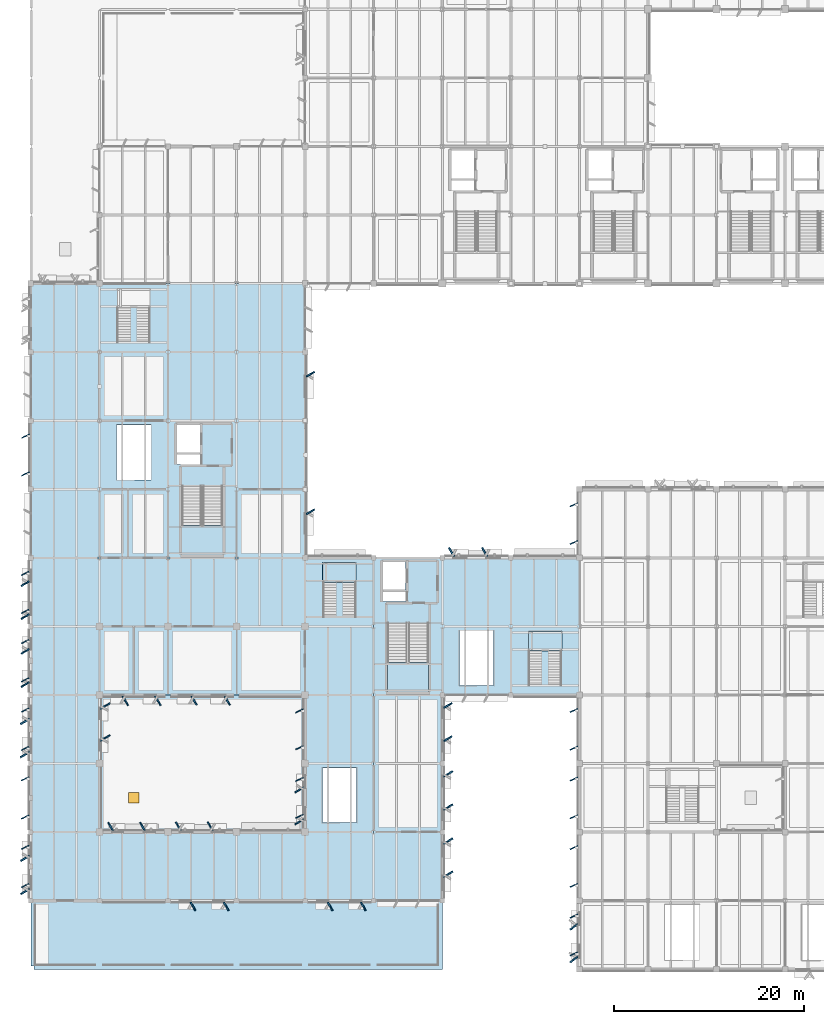
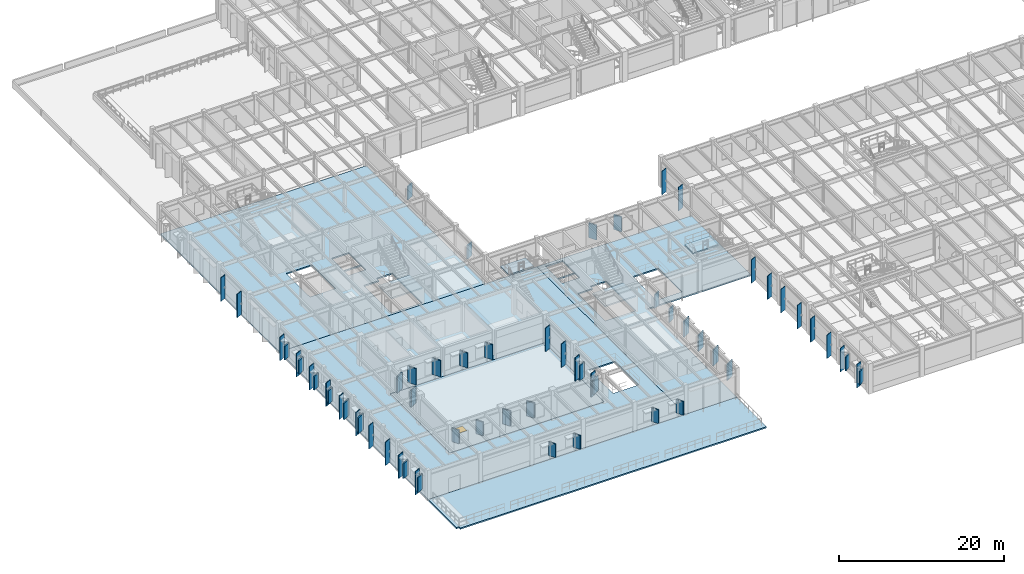
# One storey, part 25 of 92: 62 plates, 9 slabs, 1 door, 1 opening, 4 elements without a shape of their own.
"""IFC4 building model written with IfcOpenShell, lengths in metres."""

import ifcopenshell
import ifcopenshell.guid

model = None  # the IFC model being written
_history = None  # IfcOwnerHistory: only IFC2X3 demands one
_inside = {}  # id of a spatial element -> (the spatial element, [elements in it])
_under = {}  # id of a project, library or spatial element -> (it, [spatial elements below it])
_declared = {}  # id of a project -> (the project, [libraries it declares])
_typed = {}  # id of a type object -> (the type object, [elements of that type])
_made_of = {}  # id of a material, layer set ... -> (it, [elements and type objects made of it])


def new_model(schema):
    """Start an empty IFC model of exactly this schema.

    Asked for "IFC4X3", IfcOpenShell would pick the latest addendum, in which some entities
    have other attributes; the version numbers below select the first issue.
    IFC2X3 requires an IfcOwnerHistory on every rooted entity: one is made here for all.
    """
    global model, _history
    if schema == "IFC4X3":
        model = ifcopenshell.file(schema_version=(4, 3, 0, 0))
    else:
        model = ifcopenshell.file(schema=schema)
    _inside.clear()
    _under.clear()
    _declared.clear()
    _typed.clear()
    _made_of.clear()
    _history = None
    if model.schema == "IFC2X3":
        org = make("IfcOrganization", Name="unknown")
        user = make(
            "IfcPersonAndOrganization",
            ThePerson=make("IfcPerson", FamilyName="unknown"),
            TheOrganization=org,
        )
        app = make(
            "IfcApplication",
            ApplicationDeveloper=org,
            Version="unknown",
            ApplicationFullName="unknown",
            ApplicationIdentifier="unknown",
        )
        _history = make(
            "IfcOwnerHistory",
            OwningUser=user,
            OwningApplication=app,
            ChangeAction="ADDED",
            CreationDate=0,
        )
    return model


def make(cls, **values):
    """One entity of the class cls with the attributes given. An attribute that is None is left unset."""
    return model.create_entity(
        cls, **{name: value for name, value in values.items() if value is not None}
    )


def rooted(cls, **values):
    """An entity with a GlobalId (a new one), such as an element, a storey or a relation."""
    return make(cls, GlobalId=ifcopenshell.guid.new(), OwnerHistory=_history, **values)


def si_unit(unit_type, name, prefix=None):
    """IfcSIUnit, for example si_unit("LENGTHUNIT", "METRE", prefix="MILLI")."""
    return make("IfcSIUnit", UnitType=unit_type, Prefix=prefix, Name=name)


def assignment(units):
    """IfcUnitAssignment: the units of a project."""
    return None if units is None else make("IfcUnitAssignment", Units=units)


def point(xyz):
    """IfcCartesianPoint."""
    return None if xyz is None else make("IfcCartesianPoint", Coordinates=xyz)


def direction(xyz):
    """IfcDirection."""
    return None if xyz is None else make("IfcDirection", DirectionRatios=xyz)


def frame(location, z_axis=None, x_axis=None):
    """IfcAxis2Placement3D, a coordinate frame: its origin and axes. An axis left out is left unset."""
    return make(
        "IfcAxis2Placement3D",
        Location=point(location),
        Axis=direction(z_axis),
        RefDirection=direction(x_axis),
    )


def frame_2d(location, x_axis=None):
    """IfcAxis2Placement2D, a coordinate frame in the plane: its origin and x axis."""
    return make(
        "IfcAxis2Placement2D", Location=point(location), RefDirection=direction(x_axis)
    )


def origin():
    """The frame at (0, 0, 0) with its axes left unset."""
    return frame((0.0, 0.0, 0.0))


def origin_2d():
    """The frame at (0, 0) in the plane with its x axis left unset."""
    return frame_2d((0.0, 0.0))


def place(relative_to, where):
    """IfcLocalPlacement: puts the frame where relative to a parent placement (None: the world)."""
    return make(
        "IfcLocalPlacement", PlacementRelTo=relative_to, RelativePlacement=where
    )


def context(
    kind, dimensions, precision=None, world=None, true_north=None, identifier=None
):
    """IfcGeometricRepresentationContext, for example the 3D "Model" context."""
    return make(
        "IfcGeometricRepresentationContext",
        ContextIdentifier=identifier,
        ContextType=kind,
        CoordinateSpaceDimension=dimensions,
        Precision=precision,
        WorldCoordinateSystem=world,
        TrueNorth=true_north,
    )


def subcontext(parent, identifier, kind, view, scale=None):
    """IfcGeometricRepresentationSubContext, for example "Body" below "Model"."""
    return make(
        "IfcGeometricRepresentationSubContext",
        ContextIdentifier=identifier,
        ContextType=kind,
        ParentContext=parent,
        TargetScale=scale,
        TargetView=view,
    )


def project(units=None, contexts=None):
    """IfcProject with its units and contexts."""
    return rooted(
        "IfcProject",
        Name="project",
        RepresentationContexts=contexts,
        UnitsInContext=assignment(units),
    )


def spatial(cls, under=None, at=None, **own):
    """A site, building, storey or space (cls), placed at a placement, below another one or the project."""
    s = rooted(cls, ObjectPlacement=at, **own)
    if under is not None:
        _under.setdefault(under.id(), (under, []))[1].append(s)
    return s


def polyline(points):
    """IfcPolyline through the points."""
    return make("IfcPolyline", Points=[point(p) for p in points])


def profile(cls, at=None, kind="AREA", **sizes):
    """A parametric profile (cls). Its sizes go by their IFC names, for example OverallWidth=200.0."""
    return make(cls, ProfileType=kind, Position=at, **sizes)


def rectangle(**sizes):
    """IfcRectangleProfileDef."""
    return profile("IfcRectangleProfileDef", **sizes)


def outline(outer, holes=None, kind="AREA"):
    """IfcArbitraryClosedProfileDef: a profile drawn as a closed curve; with holes, ...WithVoids."""
    if holes is None:
        return make("IfcArbitraryClosedProfileDef", ProfileType=kind, OuterCurve=outer)
    return make(
        "IfcArbitraryProfileDefWithVoids",
        ProfileType=kind,
        OuterCurve=outer,
        InnerCurves=holes,
    )


def extrude(swept, where, along, depth):
    """IfcExtrudedAreaSolid: the profile swept, set in the frame where, extruded along a direction by depth."""
    return make(
        "IfcExtrudedAreaSolid",
        SweptArea=swept,
        Position=where,
        ExtrudedDirection=direction(along),
        Depth=depth,
    )


def shape(context_of_items, identifier, shape_type, items):
    """IfcShapeRepresentation: the items that make up one representation, for example the "Body"."""
    return make(
        "IfcShapeRepresentation",
        ContextOfItems=context_of_items,
        RepresentationIdentifier=identifier,
        RepresentationType=shape_type,
        Items=items,
    )


def material(Name=None, Category=None):
    """IfcMaterial."""
    return make("IfcMaterial", Name=Name, Category=Category)


def layer(
    of_material, thickness, ventilated=None, Name=None, Category=None, Priority=None
):
    """IfcMaterialLayer: one layer of a wall or slab, of a material (None: an air gap)."""
    return make(
        "IfcMaterialLayer",
        Material=of_material,
        LayerThickness=thickness,
        IsVentilated=ventilated,
        Name=Name,
        Category=Category,
        Priority=Priority,
    )


def layer_set(layers, Name=None):
    """IfcMaterialLayerSet."""
    return make("IfcMaterialLayerSet", MaterialLayers=layers, LayerSetName=Name)


def made_of(thing, what):
    """Note that an element or type object is made of a material, layer set ...; save() writes the relation."""
    if what is not None:
        _made_of.setdefault(what.id(), (what, []))[1].append(thing)
    return thing


def type_object(cls, material=None, **own):
    """A type object (cls), such as IfcWallType, which elements share."""
    return made_of(rooted(cls, **own), material)


def element(
    cls,
    number,
    at=None,
    inside=None,
    cuts=None,
    type_object=None,
    material=None,
    context=None,
    identifier="Body",
    shape_type=None,
    held_by="IfcProductDefinitionShape",
    body=None,
    shapes=None,
    **own,
):
    """One element of the class cls, such as IfcWall. Its Tag is "e" and its number.

    at: its placement. inside: the storey or other place that contains it. cuts: it is an
    opening in that element (IfcRelVoidsElement). A single representation is given by context,
    identifier, shape_type and body (its items); several are given by shapes. held_by: the class
    of the entity that holds the representations. save() writes the other relations.
    """
    e = rooted(cls, Tag="e%d" % number, ObjectPlacement=at, **own)
    if body is not None:
        shapes = [shape(context, identifier, shape_type, body)]
    if shapes is not None:
        e.Representation = make(held_by, Representations=shapes)
    if inside is not None:
        _inside.setdefault(inside.id(), (inside, []))[1].append(e)
    if cuts is not None:
        rooted(
            "IfcRelVoidsElement", RelatingBuildingElement=cuts, RelatedOpeningElement=e
        )
    if type_object is not None:
        _typed.setdefault(type_object.id(), (type_object, []))[1].append(e)
    return made_of(e, material)


def fill(opening, filler):
    """IfcRelFillsElement: the door or window that sits in an opening."""
    return rooted(
        "IfcRelFillsElement",
        RelatingOpeningElement=opening,
        RelatedBuildingElement=filler,
    )


def aggregate(whole, parts):
    """IfcRelAggregates: a whole, such as a stair, and the parts it consists of."""
    return rooted("IfcRelAggregates", RelatingObject=whole, RelatedObjects=parts)


def save(model, path):
    """Write the relations noted so far, then the file.

    IfcRelAggregates (storeys below a building ...), IfcRelContainedInSpatialStructure (elements
    in a storey), IfcRelDefinesByType, IfcRelAssociatesMaterial and IfcRelDeclares: one each for
    every whole, place, type object, material and project.
    """
    for whole, parts in _under.values():
        aggregate(whole, parts)
    for where, things in _inside.values():
        rooted(
            "IfcRelContainedInSpatialStructure",
            RelatedElements=things,
            RelatingStructure=where,
        )
    for kind, things in _typed.values():
        rooted("IfcRelDefinesByType", RelatedObjects=things, RelatingType=kind)
    for what, things in _made_of.values():
        rooted("IfcRelAssociatesMaterial", RelatedObjects=things, RelatingMaterial=what)
    for by, libraries in _declared.values():
        rooted("IfcRelDeclares", RelatingContext=by, RelatedDefinitions=libraries)
    model.write(path)


model = new_model("IFC4")

# Units and contexts
model_context = context("Model", 3, precision=1e-05, world=origin(), true_north=direction((0.0, 1.0)))
body_context = subcontext(model_context, "Body", "Model", "MODEL_VIEW")
ifc_project = project(units=[si_unit("LENGTHUNIT", "METRE"), si_unit("AREAUNIT", "SQUARE_METRE"), si_unit("VOLUMEUNIT", "CUBIC_METRE"), si_unit("PLANEANGLEUNIT", "RADIAN"), si_unit("MASSUNIT", "GRAM", prefix="KILO")], contexts=[model_context])

# Site, building, storey
site_placement = place(None, origin())
site = spatial("IfcSite", under=ifc_project, at=site_placement, CompositionType="ELEMENT")
building_placement = place(site_placement, origin())
building = spatial("IfcBuilding", under=site, at=building_placement, Name="Sillqori Civic Hall", CompositionType="ELEMENT")
storey_placement = place(building_placement, frame((0.0, 0.0, 5.39990234375)))
storey = spatial("IfcBuildingStorey", under=building, at=storey_placement, Name="L02", CompositionType="ELEMENT", Elevation=5.39990234375)

# Plates
ifc_material_1 = material(Name="Precast concrete C40/50 (H40)", Category="concrete")
ifc_layer_1 = layer(ifc_material_1, 0.159912109375)
ifc_layer_set_1 = layer_set([ifc_layer_1], Name="Precast concrete C40/50 (H40)")
plate_type_1 = type_object("IfcPlateType", Name="FIN-WEST-350", PredefinedType="USERDEFINED", material=ifc_layer_set_1)
for number, where, z_axis, x_axis, name in (
    (1, (6.60498046875, 15.989990234375, 0.14990234375), (0.0, 0.0, 1.0), (-0.422618261741, 0.906307787037, 0.0), "L02 west brise-soleil fin L02-01-02-W.1"),
    (2, (6.60498046875, 20.010009765625, 0.14990234375), (0.0, 0.0, 1.0), (-0.422618261741, 0.906307787037, 0.0), "L02 west brise-soleil fin L02-01-02-W.2"),
    (3, (6.60498046875, 23.18994140625, 0.14990234375), (0.0, 0.0, 1.0), (-0.422618261741, 0.906307787037, 0.0), "L02 west brise-soleil fin L02-01-03-W.1"),
    (4, (6.60498046875, 27.2099609375, 0.14990234375), (0.0, 0.0, 1.0), (-0.422618261741, 0.906307787037, 0.0), "L02 west brise-soleil fin L02-01-03-W.2"),
    (5, (6.60498046875, 30.389892578125, 0.14990234375), (0.0, 0.0, 1.0), (-0.422618261741, 0.906307787037, 0.0), "L02 west brise-soleil fin L02-01-04-W.1"),
    (6, (6.60498046875, 34.409912109375, 0.14990234375), (0.0, 0.0, 1.0), (-0.422618261741, 0.906307787037, 0.0), "L02 west brise-soleil fin L02-01-04-W.2"),
    (7, (6.60498046875, 37.590087890625, 0.14990234375), (0.0, 0.0, 1.0), (-0.422618261741, 0.906307787037, 0.0), "L02 west brise-soleil fin L02-01-05-W.1"),
    (8, (6.60498046875, 41.610107421875, 0.14990234375), (0.0, 0.0, 1.0), (-0.422618261741, 0.906307787037, 0.0), "L02 west brise-soleil fin L02-01-05-W.2"),
    (9, (6.60498046875, 44.780029296875, 0.14990234375), (0.0, 0.0, 1.0), (-0.422618261741, 0.906307787037, 0.0), "L02 west brise-soleil fin L02-01-06-W.1"),
    (10, (6.60498046875, 48.77001953125, 0.14990234375), (0.0, 0.0, 1.0), (-0.422618261741, 0.906307787037, 0.0), "L02 west brise-soleil fin L02-01-06-W.2"),
    (11, (6.64501953125, 59.219970703125, 0.14990234375), (0.0, 0.0, 1.0), (-0.422618261741, 0.906307787037, 0.0), "L02 west brise-soleil fin L02-01-08-W.1"),
    (12, (6.64501953125, 63.179931640625, 0.14990234375), (0.0, 0.0, 1.0), (-0.422618261741, 0.906307787037, 0.0), "L02 west brise-soleil fin L02-01-08-W.2"),
    (13, (35.405029296875, 23.264892578125, 0.14990234375), (0.0, 0.0, 1.0), (-0.422618261741, 0.906307787037, 0.0), "L02 west brise-soleil fin L02-05-03-W.1"),
    (14, (35.405029296875, 27.135009765625, 0.14990234375), (0.0, 0.0, 1.0), (-0.422618261741, 0.906307787037, 0.0), "L02 west brise-soleil fin L02-05-03-W.2"),
    (15, (35.405029296875, 30.465087890625, 0.14990234375), (0.0, 0.0, 1.0), (-0.422618261741, 0.906307787037, 0.0), "L02 west brise-soleil fin L02-05-04-W.1"),
    (16, (35.405029296875, 34.3349609375, 0.14990234375), (0.0, 0.0, 1.0), (-0.422618261741, 0.906307787037, 0.0), "L02 west brise-soleil fin L02-05-04-W.2"),
    (17, (64.215087890625, 8.820068359375, 0.14990234375), (0.0, 0.0, 1.0), (-0.422618261741, 0.906307787037, 0.0), "L02 west brise-soleil fin L02-09-01-W.1"),
    (18, (64.215087890625, 12.780029296875, 0.14990234375), (0.0, 0.0, 1.0), (-0.422618261741, 0.906307787037, 0.0), "L02 west brise-soleil fin L02-09-01-W.2"),
    (19, (64.215087890625, 16.02001953125, 0.14990234375), (0.0, 0.0, 1.0), (-0.422618261741, 0.906307787037, 0.0), "L02 west brise-soleil fin L02-09-02-W.1"),
    (20, (64.215087890625, 19.97998046875, 0.14990234375), (0.0, 0.0, 1.0), (-0.422618261741, 0.906307787037, 0.0), "L02 west brise-soleil fin L02-09-02-W.2"),
    (21, (64.215087890625, 23.219970703125, 0.14990234375), (0.0, 0.0, 1.0), (-0.422618261741, 0.906307787037, 0.0), "L02 west brise-soleil fin L02-09-03-W.1"),
    (22, (64.215087890625, 27.179931640625, 0.14990234375), (0.0, 0.0, 1.0), (-0.422618261741, 0.906307787037, 0.0), "L02 west brise-soleil fin L02-09-03-W.2"),
    (23, (64.215087890625, 30.419921875, 0.14990234375), (0.0, 0.0, 1.0), (-0.422618261741, 0.906307787037, 0.0), "L02 west brise-soleil fin L02-09-04-W.1"),
    (24, (64.215087890625, 34.3798828125, 0.14990234375), (0.0, 0.0, 1.0), (-0.422618261741, 0.906307787037, 0.0), "L02 west brise-soleil fin L02-09-04-W.2"),
    (25, (64.215087890625, 52.02001953125, 0.14990234375), (0.0, 0.0, 1.0), (-0.422618261741, 0.906307787037, 0.0), "L02 west brise-soleil fin L02-09-07-W.1"),
    (26, (64.215087890625, 55.97998046875, 0.14990234375), (0.0, 0.0, 1.0), (-0.422618261741, 0.906307787037, 0.0), "L02 west brise-soleil fin L02-09-07-W.2"),
):
    element("IfcPlate", number, at=place(storey_placement, frame(where, z_axis=z_axis, x_axis=x_axis)), inside=storey, type_object=plate_type_1, Name=name, ObjectType="SOLAR_FIN", PredefinedType="USERDEFINED", context=body_context, shape_type="SweptSolid", body=[
        extrude(rectangle(XDim=0.090087890625, YDim=0.8798828125, at=origin_2d()), origin(), (0.0, 0.0, 1.0), 3.467041015625),
    ])
ifc_layer_2 = layer(ifc_material_1, 0.159912109375)
ifc_layer_set_2 = layer_set([ifc_layer_2], Name="Precast concrete C40/50 (H40)")
plate_type_2 = type_object("IfcPlateType", Name="REV-SAW-200", PredefinedType="USERDEFINED", material=ifc_layer_set_2)
for number, where, z_axis, x_axis, name in (
    (27, (6.610107421875, 37.097900390625, 0.800048828125), (0.0, 0.0, 1.0), (-0.5, 0.866025403784, 0.0), "Sawtooth stone window reveal L02-01-05-W.1"),
    (28, (6.610107421875, 40.58203125, 0.800048828125), (0.0, 0.0, 1.0), (-0.5, 0.866025403784, 0.0), "Sawtooth stone window reveal L02-01-05-W.2"),
    (29, (6.610107421875, 44.236083984375, 0.9501953125), (0.0, 0.0, 1.0), (-0.5, 0.866025403784, 0.0), "Sawtooth stone window reveal L02-01-06-W.1"),
    (30, (6.610107421875, 47.694091796875, 0.9501953125), (0.0, 0.0, 1.0), (-0.5, 0.866025403784, 0.0), "Sawtooth stone window reveal L02-01-06-W.2"),
    (31, (15.56298828125, 22.18994140625, 0.800048828125), (0.0, 0.0, 1.0), (0.866025403784, 0.5, 0.0), "Sawtooth stone window reveal L02-02-02-N.1"),
    (32, (18.9169921875, 22.18994140625, 0.800048828125), (0.0, 0.0, 1.0), (0.866025403784, 0.5, 0.0), "Sawtooth stone window reveal L02-02-02-N.2"),
    (33, (27.701904296875, 13.81005859375, 0.800048828125), (0.0, 0.0, 1.0), (-0.866025403784, -0.5, 0.0), "Sawtooth stone window reveal L02-03-02-S.1"),
    (34, (24.218017578125, 13.81005859375, 0.800048828125), (0.0, 0.0, 1.0), (-0.866025403784, -0.5, 0.0), "Sawtooth stone window reveal L02-03-02-S.2"),
    (35, (36.550048828125, 55.235107421875, 0.8251953125), (0.0, 0.0, 1.0), (0.5, -0.866025403784, 0.0), "Sawtooth stone window reveal L02-04-07-E.1"),
    (36, (36.550048828125, 69.68505859375, 0.775146484375), (0.0, 0.0, 1.0), (0.5, -0.866025403784, 0.0), "Sawtooth stone window reveal L02-04-09-E.1"),
    (37, (42.10205078125, 13.81005859375, 0.800048828125), (0.0, 0.0, 1.0), (-0.866025403784, -0.5, 0.0), "Sawtooth stone window reveal L02-05-02-S.1"),
    (38, (38.617919921875, 13.81005859375, 0.800048828125), (0.0, 0.0, 1.0), (-0.866025403784, -0.5, 0.0), "Sawtooth stone window reveal L02-05-02-S.2"),
    (39, (50.989990234375, 34.902099609375, 0.800048828125), (0.0, 0.0, 1.0), (0.5, -0.866025403784, 0.0), "Sawtooth stone window reveal L02-06-04-E.1"),
    (40, (50.989990234375, 31.41796875, 0.800048828125), (0.0, 0.0, 1.0), (0.5, -0.866025403784, 0.0), "Sawtooth stone window reveal L02-06-04-E.2"),
    (41, (64.219970703125, 8.22412109375, 1.0), (0.0, 0.0, 1.0), (-0.587785252292, 0.809016994375, 0.0), "Sawtooth stone window reveal L02-09-01-W.1"),
    (42, (64.219970703125, 11.656005859375, 1.0), (0.0, 0.0, 1.0), (-0.587785252292, 0.809016994375, 0.0), "Sawtooth stone window reveal L02-09-01-W.2"),
):
    element("IfcPlate", number, at=place(storey_placement, frame(where, z_axis=z_axis, x_axis=x_axis)), inside=storey, type_object=plate_type_2, Name=name, ObjectType="REVEAL_PANEL", PredefinedType="USERDEFINED", context=body_context, shape_type="SweptSolid", body=[
        extrude(rectangle(XDim=0.159912109375, YDim=0.97998046875, at=origin_2d()), origin(), (0.0, 0.0, 1.0), 2.0),
    ])
ifc_layer_3 = layer(ifc_material_1, 0.159912109375)
ifc_layer_set_3 = layer_set([ifc_layer_3], Name="Precast concrete C40/50 (H40)")
plate_type_3 = type_object("IfcPlateType", Name="REV-SAW-220", PredefinedType="USERDEFINED", material=ifc_layer_set_3)
for number, where, z_axis, x_axis, name in (
    (43, (6.610107421875, 15.373046875, 0.92529296875), (0.0, 0.0, 1.0), (-0.5, 0.866025403784, 0.0), "Sawtooth stone window reveal L02-01-02-W.1"),
    (44, (6.610107421875, 18.85693359375, 0.92529296875), (0.0, 0.0, 1.0), (-0.5, 0.866025403784, 0.0), "Sawtooth stone window reveal L02-01-02-W.2"),
    (45, (22.68798828125, 22.18994140625, 0.92529296875), (0.0, 0.0, 1.0), (0.866025403784, 0.5, 0.0), "Sawtooth stone window reveal L02-03-02-N.1"),
    (46, (26.0419921875, 22.18994140625, 0.92529296875), (0.0, 0.0, 1.0), (0.866025403784, 0.5, 0.0), "Sawtooth stone window reveal L02-03-02-N.2"),
    (47, (27.826904296875, 35.409912109375, 0.92529296875), (0.0, 0.0, 1.0), (-0.866025403784, -0.5, 0.0), "Sawtooth stone window reveal L02-03-05-S.1"),
    (48, (24.343017578125, 35.409912109375, 0.92529296875), (0.0, 0.0, 1.0), (-0.866025403784, -0.5, 0.0), "Sawtooth stone window reveal L02-03-05-S.2"),
    (49, (35.409912109375, 22.68798828125, 0.92529296875), (0.0, 0.0, 1.0), (-0.5, 0.866025403784, 0.0), "Sawtooth stone window reveal L02-05-03-W.1"),
    (50, (35.409912109375, 26.0419921875, 0.92529296875), (0.0, 0.0, 1.0), (-0.5, 0.866025403784, 0.0), "Sawtooth stone window reveal L02-05-03-W.2"),
    (51, (51.373046875, 50.989990234375, 0.92529296875), (0.0, 0.0, 1.0), (0.866025403784, 0.5, 0.0), "Sawtooth stone window reveal L02-07-06-N.1"),
    (52, (54.85693359375, 50.989990234375, 0.92529296875), (0.0, 0.0, 1.0), (0.866025403784, 0.5, 0.0), "Sawtooth stone window reveal L02-07-06-N.2"),
):
    element("IfcPlate", number, at=place(storey_placement, frame(where, z_axis=z_axis, x_axis=x_axis)), inside=storey, type_object=plate_type_3, Name=name, ObjectType="REVEAL_PANEL", PredefinedType="USERDEFINED", context=body_context, shape_type="SweptSolid", body=[
        extrude(rectangle(XDim=0.159912109375, YDim=1.080078125, at=origin_2d()), origin(), (0.0, 0.0, 1.0), 2.199951171875),
    ])
ifc_layer_4 = layer(ifc_material_1, 0.159912109375)
ifc_layer_set_4 = layer_set([ifc_layer_4], Name="Precast concrete C40/50 (H40)")
plate_type_4 = type_object("IfcPlateType", Name="REV-SAW-240", PredefinedType="USERDEFINED", material=ifc_layer_set_4)
for number, where, z_axis, x_axis, name in (
    (53, (6.610107421875, 29.748046875, 0.9501953125), (0.0, 0.0, 1.0), (-0.5, 0.866025403784, 0.0), "Sawtooth stone window reveal L02-01-04-W.1"),
    (54, (6.610107421875, 33.23193359375, 0.9501953125), (0.0, 0.0, 1.0), (-0.5, 0.866025403784, 0.0), "Sawtooth stone window reveal L02-01-04-W.2"),
    (55, (14.989990234375, 34.8369140625, 0.9501953125), (0.0, 0.0, 1.0), (0.5, -0.866025403784, 0.0), "Sawtooth stone window reveal L02-01-04-E.1"),
    (56, (14.989990234375, 31.48291015625, 0.9501953125), (0.0, 0.0, 1.0), (0.5, -0.866025403784, 0.0), "Sawtooth stone window reveal L02-01-04-E.2"),
    (57, (20.531982421875, 35.409912109375, 0.9501953125), (0.0, 0.0, 1.0), (-0.866025403784, -0.5, 0.0), "Sawtooth stone window reveal L02-02-05-S.1"),
    (58, (17.113037109375, 35.409912109375, 0.9501953125), (0.0, 0.0, 1.0), (-0.866025403784, -0.5, 0.0), "Sawtooth stone window reveal L02-02-05-S.2"),
    (59, (50.989990234375, 20.652099609375, 0.9501953125), (0.0, 0.0, 1.0), (0.5, -0.866025403784, 0.0), "Sawtooth stone window reveal L02-06-02-E.1"),
    (60, (50.989990234375, 17.16796875, 0.9501953125), (0.0, 0.0, 1.0), (0.5, -0.866025403784, 0.0), "Sawtooth stone window reveal L02-06-02-E.2"),
    (61, (50.989990234375, 27.701904296875, 0.9501953125), (0.0, 0.0, 1.0), (0.5, -0.866025403784, 0.0), "Sawtooth stone window reveal L02-06-03-E.1"),
    (62, (50.989990234375, 24.218017578125, 0.9501953125), (0.0, 0.0, 1.0), (0.5, -0.866025403784, 0.0), "Sawtooth stone window reveal L02-06-03-E.2"),
):
    element("IfcPlate", number, at=place(storey_placement, frame(where, z_axis=z_axis, x_axis=x_axis)), inside=storey, type_object=plate_type_4, Name=name, ObjectType="REVEAL_PANEL", PredefinedType="USERDEFINED", context=body_context, shape_type="SweptSolid", body=[
        extrude(rectangle(XDim=0.159912109375, YDim=1.179931640625, at=origin_2d()), origin(), (0.0, 0.0, 1.0), 2.39990234375),
    ])

# Slabs
ifc_material_2 = material(Name="Concrete C30/37 (H30)", Category="concrete")
ifc_layer_5 = layer(ifc_material_2, 0.199951171875)
ifc_layer_set_5 = layer_set([ifc_layer_5], Name="Concrete C30/37 (H30)")
slab_type_1 = type_object("IfcSlabType", Name="SLB-FLR-200", PredefinedType="FLOOR", material=ifc_layer_set_5)
slab_1_placement = place(storey_placement, frame((0.0, 0.0, -0.199951171875)))
element("IfcSlab", 63, at=slab_1_placement, inside=storey, type_object=slab_type_1, Name="L02 V1 composite floor slab 0.1", PredefinedType="FLOOR", context=body_context, shape_type="SweptSolid", body=[
    extrude(outline(polyline([(7.199951171875, 43.199951171875), (7.199951171875, 50.39990234375), (14.39990234375, 50.39990234375), (21.60009765625, 50.39990234375), (28.800048828125, 50.39990234375), (36.0, 50.39990234375), (43.199951171875, 50.39990234375), (43.199951171875, 43.199951171875), (43.199951171875, 36.0), (43.199951171875, 28.800048828125), (43.199951171875, 21.60009765625), (43.199951171875, 14.39990234375), (36.0, 14.39990234375), (28.800048828125, 14.39990234375), (21.60009765625, 14.39990234375), (14.39990234375, 14.39990234375), (7.199951171875, 14.39990234375), (7.199951171875, 21.60009765625), (7.199951171875, 28.800048828125), (7.199951171875, 36.0), (7.199951171875, 43.199951171875)]), holes=[polyline([(14.39990234375, 36.0), (14.39990234375, 28.800048828125), (14.39990234375, 21.60009765625), (21.60009765625, 21.60009765625), (28.800048828125, 21.60009765625), (36.0, 21.60009765625), (36.0, 28.800048828125), (36.0, 36.0), (28.800048828125, 36.0), (21.60009765625, 36.0), (14.39990234375, 36.0)]), polyline([(41.39990234375, 22.60009765625), (41.39990234375, 28.35009765625), (37.800048828125, 28.35009765625), (37.800048828125, 22.60009765625), (41.39990234375, 22.60009765625)])]), origin(), (0.0, 0.0, 1.0), 0.199951171875),
])
slab_2_placement = place(storey_placement, frame((0.0, 0.0, -0.199951171875)))
element("IfcSlab", 64, at=slab_2_placement, inside=storey, type_object=slab_type_1, Name="L02 V1 composite floor slab 1.1", PredefinedType="FLOOR", context=body_context, shape_type="SweptSolid", body=[
    extrude(outline(polyline([(43.199951171875, 28.800048828125), (43.199951171875, 36.0), (43.199951171875, 43.199951171875), (43.199951171875, 50.39990234375), (50.39990234375, 50.39990234375), (57.60009765625, 50.39990234375), (64.800048828125, 50.39990234375), (64.800048828125, 43.199951171875), (64.800048828125, 36.0), (57.60009765625, 36.0), (50.39990234375, 36.0), (50.39990234375, 28.800048828125), (50.39990234375, 21.60009765625), (50.39990234375, 14.39990234375), (43.199951171875, 14.39990234375), (43.199951171875, 21.60009765625), (43.199951171875, 28.800048828125)]), holes=[polyline([(55.800048828125, 37.0), (55.800048828125, 42.75), (52.199951171875, 42.75), (52.199951171875, 37.0), (55.800048828125, 37.0)]), polyline([(46.760009765625, 43.02001953125), (44.659912109375, 43.02001953125), (44.659912109375, 36.35009765625), (48.93994140625, 36.35009765625), (48.93994140625, 43.570068359375), (46.760009765625, 43.570068359375), (46.760009765625, 43.02001953125)]), polyline([(46.550048828125, 45.800048828125), (46.550048828125, 46.89990234375), (44.14990234375, 46.89990234375), (44.14990234375, 45.800048828125), (46.550048828125, 45.800048828125)]), polyline([(46.550048828125, 47.050048828125), (46.550048828125, 49.949951171875), (44.14990234375, 49.949951171875), (44.14990234375, 47.050048828125), (46.550048828125, 47.050048828125)])]), origin(), (0.0, 0.0, 1.0), 0.199951171875),
])
slab_3_placement = place(storey_placement, frame((0.0, 0.0, -0.199951171875)))
element("IfcSlab", 65, at=slab_3_placement, inside=storey, type_object=slab_type_1, Name="L02 V5 composite floor slab 0.1", PredefinedType="FLOOR", context=body_context, shape_type="SweptSolid", body=[
    extrude(outline(polyline([(7.199951171875, 79.199951171875), (14.39990234375, 79.199951171875), (21.60009765625, 79.199951171875), (28.800048828125, 79.199951171875), (36.0, 79.199951171875), (36.0, 72.0), (36.0, 64.800048828125), (36.0, 57.60009765625), (36.0, 50.39990234375), (28.800048828125, 50.39990234375), (21.60009765625, 50.39990234375), (14.39990234375, 50.39990234375), (7.199951171875, 50.39990234375), (7.199951171875, 57.60009765625), (7.199951171875, 64.800048828125), (7.199951171875, 72.0), (7.199951171875, 79.199951171875)]), holes=[polyline([(25.159912109375, 57.419921875), (23.06005859375, 57.419921875), (23.06005859375, 50.75), (27.340087890625, 50.75), (27.340087890625, 57.969970703125), (25.159912109375, 57.969970703125), (25.159912109375, 57.419921875)]), polyline([(24.949951171875, 60.199951171875), (24.949951171875, 61.300048828125), (22.550048828125, 61.300048828125), (22.550048828125, 60.199951171875), (24.949951171875, 60.199951171875)]), polyline([(19.800048828125, 58.60009765625), (19.800048828125, 64.35009765625), (16.199951171875, 64.35009765625), (16.199951171875, 58.60009765625), (19.800048828125, 58.60009765625)]), polyline([(24.949951171875, 61.449951171875), (24.949951171875, 64.35009765625), (22.550048828125, 64.35009765625), (22.550048828125, 61.449951171875), (24.949951171875, 61.449951171875)])]), origin(), (0.0, 0.0, 1.0), 0.199951171875),
])

# Stair, slab
ifc_material_3 = material(Name="Concrete C35/45 (H35)", Category="concrete")
stair_type_1 = type_object("IfcStairType", Name="STR-CORE-01", PredefinedType="DOUBLE_RETURN_STAIR", material=ifc_material_3)
stair_1_placement = place(storey_placement, origin())
stair_1 = element("IfcStair", 66, at=stair_1_placement, inside=storey, type_object=stair_type_1, Name="L02 Core exit stair ST-01", PredefinedType="DOUBLE_RETURN_STAIR")
ifc_layer_6 = layer(ifc_material_3, 0.199951171875)
ifc_layer_set_6 = layer_set([ifc_layer_6], Name="Concrete C35/45 (H35)")
slab_type_2 = type_object("IfcSlabType", Name="SLB-LND-220", PredefinedType="LANDING", material=ifc_layer_set_6)
slab_4_placement = place(storey_placement, frame((0.0, 0.0, 2.050048828125)))
slab_4 = element("IfcSlab", 67, at=slab_4_placement, type_object=slab_type_2, Name="ST-01 landing 1", PredefinedType="LANDING", context=body_context, shape_type="SweptSolid", body=[
    extrude(outline(polyline([(44.625, 39.409912109375), (44.625, 36.31494140625), (48.97509765625, 36.31494140625), (48.97509765625, 39.409912109375), (44.625, 39.409912109375)])), origin(), (0.0, 0.0, 1.0), 0.199951171875),
])
aggregate(stair_1, [slab_4])

stair_type_2 = type_object("IfcStairType", Name="STR-CORE-04", PredefinedType="DOUBLE_RETURN_STAIR", material=ifc_material_3)
stair_2_placement = place(storey_placement, origin())
stair_2 = element("IfcStair", 68, at=stair_2_placement, inside=storey, type_object=stair_type_2, Name="L02 Core exit stair ST-04", PredefinedType="DOUBLE_RETURN_STAIR")
slab_5_placement = place(storey_placement, frame((0.0, 0.0, 2.050048828125)))
slab_5 = element("IfcSlab", 69, at=slab_5_placement, type_object=slab_type_2, Name="ST-04 landing 1", PredefinedType="LANDING", context=body_context, shape_type="SweptSolid", body=[
    extrude(outline(polyline([(23.02490234375, 53.81005859375), (23.02490234375, 50.715087890625), (27.375, 50.715087890625), (27.375, 53.81005859375), (23.02490234375, 53.81005859375)])), origin(), (0.0, 0.0, 1.0), 0.199951171875),
])
aggregate(stair_2, [slab_5])

ifc_material_4 = material(Name="Steel ASTM A992 and Honed Limestone Treads", Category="masonry")
stair_type_3 = type_object("IfcStairType", Name="STR-MON-450", PredefinedType="STRAIGHT_RUN_STAIR", material=ifc_material_4)
stair_3_placement = place(storey_placement, origin())
stair_3 = element("IfcStair", 70, at=stair_3_placement, inside=storey, type_object=stair_type_3, Name="Council Gallery Ceremonial Stair L02-L03", PredefinedType="STRAIGHT_RUN_STAIR")
ifc_layer_7 = layer(ifc_material_3, 0.199951171875)
ifc_layer_set_7 = layer_set([ifc_layer_7], Name="Concrete C35/45 (H35)")
slab_type_3 = type_object("IfcSlabType", Name="SLB-MLND-200", PredefinedType="LANDING", material=ifc_layer_set_7)
slab_6_placement = place(storey_placement, frame((0.0, 0.0, 2.050048828125)))
slab_6 = element("IfcSlab", 71, at=slab_6_placement, type_object=slab_type_3, Name="MS-10 landing 1", PredefinedType="LANDING", context=body_context, shape_type="SweptSolid", body=[
    extrude(outline(polyline([(37.840087890625, 47.840087890625), (41.360107421875, 47.840087890625), (41.360107421875, 49.929931640625), (37.840087890625, 49.929931640625), (37.840087890625, 47.840087890625)])), origin(), (0.0, 0.0, 1.0), 0.199951171875),
])
aggregate(stair_3, [slab_6])

stair_4_placement = place(storey_placement, origin())
stair_4 = element("IfcStair", 72, at=stair_4_placement, inside=storey, type_object=stair_type_3, Name="Council Link Gallery Stair L02-L03", PredefinedType="STRAIGHT_RUN_STAIR")
slab_7_placement = place(storey_placement, frame((0.0, 0.0, 2.050048828125)))
slab_7 = element("IfcSlab", 73, at=slab_7_placement, type_object=slab_type_3, Name="MS-12 landing 1", PredefinedType="LANDING", context=body_context, shape_type="SweptSolid", body=[
    extrude(outline(polyline([(59.43994140625, 40.639892578125), (62.9599609375, 40.639892578125), (62.9599609375, 42.72998046875), (59.43994140625, 42.72998046875), (59.43994140625, 40.639892578125)])), origin(), (0.0, 0.0, 1.0), 0.199951171875),
])
aggregate(stair_4, [slab_7])

# Slab, opening, door
ifc_layer_8 = layer(ifc_material_2, 0.199951171875)
ifc_layer_set_8 = layer_set([ifc_layer_8], Name="Concrete C30/37 (H30)")
slab_type_4 = type_object("IfcSlabType", Name="SLB-ROOF-200", PredefinedType="ROOF", material=ifc_layer_set_8)
slab_8_placement = place(storey_placement, frame((0.0, 0.0, -0.199951171875)))
slab_8 = element("IfcSlab", 74, at=slab_8_placement, inside=storey, type_object=slab_type_4, Name="L02 flat structural roof over L01 1", PredefinedType="ROOF", context=body_context, shape_type="SweptSolid", body=[
    extrude(outline(polyline([(21.60009765625, 36.0), (28.800048828125, 36.0), (36.0, 36.0), (36.0, 28.800048828125), (36.0, 21.60009765625), (28.800048828125, 21.60009765625), (21.60009765625, 21.60009765625), (14.39990234375, 21.60009765625), (14.39990234375, 28.800048828125), (14.39990234375, 36.0), (21.60009765625, 36.0)]), holes=[polyline([(17.449951171875, 24.64990234375), (17.449951171875, 25.75), (18.550048828125, 25.75), (18.550048828125, 24.64990234375), (17.449951171875, 24.64990234375)])]), origin(), (0.0, 0.0, 1.0), 0.199951171875),
])
opening_placement = place(slab_8_placement, frame((18.0, 25.199951171875, 0.0)))
opening = element("IfcOpeningElement", 75, at=opening_placement, cuts=slab_8, Name="Opening TH-01", PredefinedType="OPENING", context=body_context, shape_type="SweptSolid", body=[
    extrude(rectangle(XDim=1.10009765625, YDim=1.10009765625, at=origin_2d()), frame((0.0, 0.0, -0.010009765625)), (0.0, 0.0, 1.0), 0.219970703125),
])
ifc_material_5 = material(Name="Galvanized Insulated Steel", Category="steel")
door_type = type_object("IfcDoorType", Name="TRP-ROOF-110X110", OperationType="NOTDEFINED", PredefinedType="TRAPDOOR", material=ifc_material_5)
door_placement = place(opening_placement, frame((0.0, 0.0, 0.14990234375)))
door = element("IfcDoor", 76, at=door_placement, inside=storey, type_object=door_type, Name="L02 maintenance roof access hatch 01", OperationType="SINGLE_SWING_LEFT", OverallHeight=1.10009765625, OverallWidth=1.10009765625, PredefinedType="TRAPDOOR", context=body_context, shape_type="SweptSolid", body=[
    extrude(rectangle(XDim=1.10009765625, YDim=1.10009765625, at=origin_2d()), origin(), (0.0, 0.0, 1.0), 0.050048828125),
])
fill(opening, door)

# Slab
ifc_layer_9 = layer(ifc_material_3, 0.199951171875)
ifc_layer_set_9 = layer_set([ifc_layer_9], Name="Concrete C35/45 (H35)")
slab_type_5 = type_object("IfcSlabType", Name="SLB-TER-200", PredefinedType="FLOOR", material=ifc_layer_set_9)
slab_9_placement = place(storey_placement, frame((0.0, 0.0, -0.199951171875)))
element("IfcSlab", 77, at=slab_9_placement, inside=storey, type_object=slab_type_5, Name="South Chamber Step Terrace 1", PredefinedType="FLOOR", context=body_context, shape_type="SweptSolid", body=[
    extrude(outline(polyline([(7.199951171875, 14.39990234375), (50.39990234375, 14.39990234375), (50.39990234375, 7.199951171875), (7.550048828125, 7.199951171875), (7.550048828125, 7.550048828125), (7.199951171875, 7.550048828125), (7.199951171875, 14.39990234375)])), origin(), (0.0, 0.0, 1.0), 0.199951171875),
])

save(model, "model.ifc")
